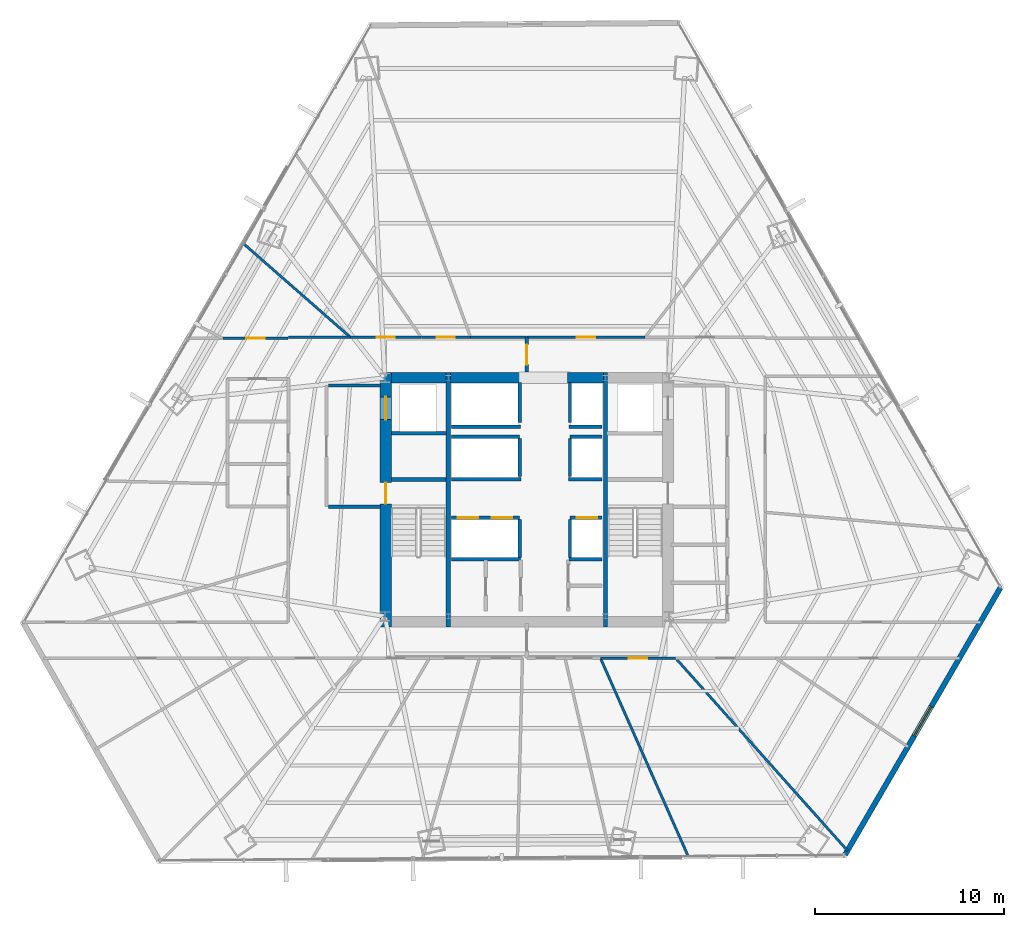
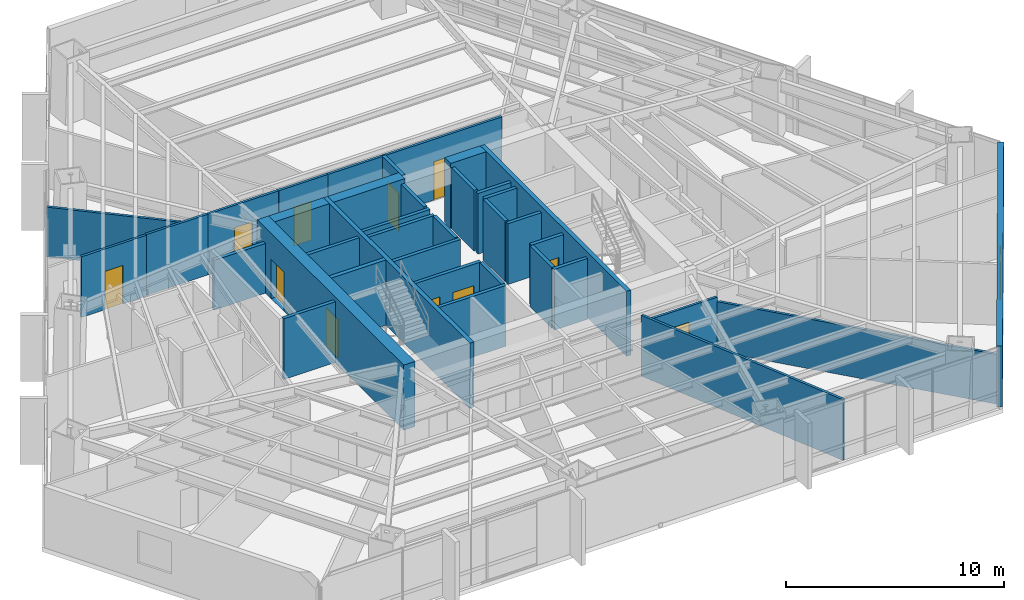
# One storey, part 31 of 36: 38 walls, 11 doors, 1 window, 12 openings.
"""IFC4 building model written with IfcOpenShell, lengths in metres."""

from ifc_helpers import new_model, si_unit, direction, frame, frame_2d, origin, place, context, subcontext, project, spatial, rectangle, extrude, material, layer, layer_set, type_object, element, fill, save


model = new_model("IFC4")

# Units and contexts
model_context = context("Model", 3, precision=1e-05, world=origin(), true_north=direction((0.0, 1.0)))
body_context = subcontext(model_context, "Body", "Model", "MODEL_VIEW")
ifc_project = project(units=[si_unit("LENGTHUNIT", "METRE"), si_unit("AREAUNIT", "SQUARE_METRE"), si_unit("VOLUMEUNIT", "CUBIC_METRE"), si_unit("PLANEANGLEUNIT", "RADIAN"), si_unit("MASSUNIT", "GRAM", prefix="KILO")], contexts=[model_context])

# Site, building, storey
site_placement = place(None, origin())
site = spatial("IfcSite", under=ifc_project, at=site_placement, CompositionType="ELEMENT")
building_placement = place(site_placement, origin())
building = spatial("IfcBuilding", under=site, at=building_placement, Name="Caelisora Broadcast Tower", CompositionType="ELEMENT")
storey_placement = place(building_placement, frame((0.0, 0.0, 64.10009765625)))
storey = spatial("IfcBuildingStorey", under=building, at=storey_placement, Name="L16", CompositionType="ELEMENT", Elevation=64.10009765625)

# Wall, openings, doors
ifc_material_1 = material(Name="Concrete 65 MPa (AS 3600 S65)", Category="concrete")
ifc_layer_1 = layer(ifc_material_1, 0.60009765625, Name="Concrete 65 MPa (AS 3600 S65)")
ifc_layer_set_1 = layer_set([ifc_layer_1], Name="Concrete 65 MPa (AS 3600 S65)")
wall_type_1 = type_object("IfcWallType", Name="CW1", PredefinedType="SHEAR", material=ifc_layer_set_1)
wall_1_placement = place(storey_placement, frame((30.5400390625, 16.85009765625, 0.0), z_axis=(0.0, 0.0, 1.0), x_axis=(0.0, 1.0, 0.0)))
wall_1 = element("IfcWall", 1, at=wall_1_placement, inside=storey, type_object=wall_type_1, Name="L16 core shear wall CW1", PredefinedType="SHEAR", context=body_context, shape_type="SweptSolid", body=[
    extrude(rectangle(XDim=13.4248046875, YDim=0.60009765625, at=frame_2d((6.71240234375, 0.0))), origin(), (0.0, 0.0, 1.0), 3.64990234375),
])
opening_1_placement = place(wall_1_placement, frame((6.5, 0.0, 0.0)))
opening_1 = element("IfcOpeningElement", 2, at=opening_1_placement, cuts=wall_1, Name="Opening FD04", PredefinedType="OPENING", context=body_context, shape_type="SweptSolid", body=[
    extrude(rectangle(XDim=1.1201171875, YDim=2.14990234375, at=frame_2d((0.56005859375, 1.074951171875))), frame((0.0, 0.31201171875, 0.0), z_axis=(0.0, -1.0, 0.0), x_axis=(1.0, 0.0, 0.0)), (0.0, 0.0, 1.0), 0.6240234375),
])
opening_2_placement = place(wall_1_placement, frame((10.949951171875, 0.0, 0.0)))
opening_2 = element("IfcOpeningElement", 3, at=opening_2_placement, cuts=wall_1, Name="Opening LD04", PredefinedType="OPENING", context=body_context, shape_type="SweptSolid", body=[
    extrude(rectangle(XDim=1.199951171875, YDim=2.199951171875, at=frame_2d((0.60009765625, 1.10009765625))), frame((0.0, 0.31201171875, 0.0), z_axis=(0.0, -1.0, 0.0), x_axis=(1.0, 0.0, 0.0)), (0.0, 0.0, 1.0), 0.6240234375),
])
ifc_material_2 = material(Name="Pressurised Fire-Isolated Stair Door", Category="steel")
door_type_1 = type_object("IfcDoorType", Name="FD04", OperationType="NOTDEFINED", PredefinedType="DOOR", material=ifc_material_2)
door_1_placement = place(opening_1_placement, origin())
door_1 = element("IfcDoor", 4, at=door_1_placement, inside=storey, type_object=door_type_1, Name="L16 door FD04 (L16-DR-ST1)", OperationType="SINGLE_SWING_LEFT", OverallHeight=2.14990234375, OverallWidth=1.1201171875, PredefinedType="DOOR", context=body_context, shape_type="SweptSolid", body=[
    extrude(rectangle(XDim=1.1201171875, YDim=2.14990234375, at=frame_2d((0.56005859375, 1.074951171875))), frame((0.0, 0.02490234375, 0.0), z_axis=(0.0, -1.0, 0.0), x_axis=(1.0, 0.0, 0.0)), (0.0, 0.0, 1.0), 0.050048828125),
])
fill(opening_1, door_1)
ifc_material_3 = material(Name="Emergency Firefighting Lift Sliding Landing Door", Category="steel")
door_type_2 = type_object("IfcDoorType", Name="LD04", OperationType="NOTDEFINED", PredefinedType="DOOR", material=ifc_material_3)
door_2_placement = place(opening_2_placement, origin())
door_2 = element("IfcDoor", 5, at=door_2_placement, inside=storey, type_object=door_type_2, Name="L16 door LD04 (L16-LD-FFL1)", OperationType="SLIDING_TO_LEFT", OverallHeight=2.199951171875, OverallWidth=1.199951171875, PredefinedType="DOOR", context=body_context, shape_type="SweptSolid", body=[
    extrude(rectangle(XDim=1.199951171875, YDim=2.199951171875, at=frame_2d((0.60009765625, 1.10009765625))), frame((0.0, 0.02490234375, 0.0), z_axis=(0.0, -1.0, 0.0), x_axis=(1.0, 0.0, 0.0)), (0.0, 0.0, 1.0), 0.050048828125),
])
fill(opening_2, door_2)

# Walls
ifc_layer_2 = layer(ifc_material_1, 0.550048828125, Name="Concrete 65 MPa (AS 3600 S65)")
ifc_layer_set_2 = layer_set([ifc_layer_2], Name="Concrete 65 MPa (AS 3600 S65)")
wall_type_2 = type_object("IfcWallType", Name="CW4", PredefinedType="SHEAR", material=ifc_layer_set_2)
wall_2_placement = place(storey_placement, frame((30.840087890625, 30.0, 0.0), z_axis=(0.0, 0.0, 1.0), x_axis=(1.0, 0.0, 0.0)))
element("IfcWall", 6, at=wall_2_placement, inside=storey, type_object=wall_type_2, Name="L16 core shear wall CW4", PredefinedType="SHEAR", context=body_context, shape_type="SweptSolid", body=[
    extrude(rectangle(XDim=2.89990234375, YDim=0.550048828125, at=frame_2d((1.449951171875, 0.0))), origin(), (0.0, 0.0, 1.0), 3.64990234375),
])
wall_3_placement = place(storey_placement, frame((33.9599609375, 30.0, 0.0), z_axis=(0.0, 0.0, 1.0), x_axis=(1.0, 0.0, 0.0)))
element("IfcWall", 7, at=wall_3_placement, inside=storey, type_object=wall_type_2, Name="L16 core shear wall CW4", PredefinedType="SHEAR", context=body_context, shape_type="SweptSolid", body=[
    extrude(rectangle(XDim=3.780029296875, YDim=0.550048828125, at=frame_2d((1.89013671875, 0.0))), origin(), (0.0, 0.0, 1.0), 3.64990234375),
])
wall_4_placement = place(storey_placement, frame((40.159912109375, 30.0, 0.0), z_axis=(0.0, 0.0, 1.0), x_axis=(1.0, 0.0, 0.0)))
element("IfcWall", 8, at=wall_4_placement, inside=storey, type_object=wall_type_2, Name="L16 core shear wall CW4", PredefinedType="SHEAR", context=body_context, shape_type="SweptSolid", body=[
    extrude(rectangle(XDim=1.880126953125, YDim=0.550048828125, at=frame_2d((0.93994140625, 0.0))), origin(), (0.0, 0.0, 1.0), 3.64990234375),
])
ifc_material_4 = material(Name="Concrete 50 MPa (AS 3600 S50)", Category="concrete")
ifc_layer_3 = layer(ifc_material_4, 0.219970703125, Name="Concrete 50 MPa (AS 3600 S50)")
ifc_layer_set_3 = layer_set([ifc_layer_3], Name="Concrete 50 MPa (AS 3600 S50)")
wall_type_3 = type_object("IfcWallType", Name="CW7", PredefinedType="SHEAR", material=ifc_layer_set_3)
for number, where, z_axis, x_axis, name in (
    (9, (33.85009765625, 16.85009765625, 0.0), (0.0, 0.0, 1.0), (0.0, 1.0, 0.0), "L16 core shear wall CW7"),
    (10, (42.14990234375, 16.85009765625, 0.0), (0.0, 0.0, 1.0), (0.0, 1.0, 0.0), "L16 core shear wall CW7"),
):
    element("IfcWall", number, at=place(storey_placement, frame(where, z_axis=z_axis, x_axis=x_axis)), inside=storey, type_object=wall_type_3, Name=name, PredefinedType="SHEAR", context=body_context, shape_type="SweptSolid", body=[
        extrude(rectangle(XDim=13.4248046875, YDim=0.219970703125, at=frame_2d((6.71240234375, 0.0))), origin(), (0.0, 0.0, 1.0), 3.64990234375),
    ])
wall_5_placement = place(storey_placement, frame((30.840087890625, 24.639892578125, 0.0), z_axis=(0.0, 0.0, 1.0), x_axis=(1.0, 0.0, 0.0)))
element("IfcWall", 11, at=wall_5_placement, inside=storey, type_object=wall_type_3, Name="L16 core shear wall CW7", PredefinedType="SHEAR", context=body_context, shape_type="SweptSolid", body=[
    extrude(rectangle(XDim=2.89990234375, YDim=0.219970703125, at=frame_2d((1.449951171875, 0.0))), origin(), (0.0, 0.0, 1.0), 3.64990234375),
])

# Wall, opening, window
ifc_material_5 = material(Name="Insulated Terracotta Spandrel Wall System", Category="masonry")
ifc_layer_4 = layer(ifc_material_5, 0.280029296875, Name="Insulated Terracotta Spandrel Wall System")
ifc_layer_set_4 = layer_set([ifc_layer_4], Name="Insulated Terracotta Spandrel Wall System")
wall_type_4 = type_object("IfcWallType", Name="EW1", PredefinedType="STANDARD", material=ifc_layer_set_4)
wall_6_placement = place(storey_placement, frame((63.02099609375, 18.916015625, 0.0), z_axis=(0.0, 0.0, 1.0), x_axis=(-0.502882396308, -0.864354843501, 0.0)))
wall_6 = element("IfcWall", 12, at=wall_6_placement, inside=storey, type_object=wall_type_4, Name="L16 exterior envelope wall EW1", PredefinedType="STANDARD", context=body_context, shape_type="SweptSolid", body=[
    extrude(rectangle(XDim=16.311767578125, YDim=0.280029296875, at=frame_2d((8.15576171875, 0.0))), origin(), (0.0, 0.0, 1.0), 3.39990234375),
])
opening_3_placement = place(wall_6_placement, frame((7.260009765625, 0.0, 0.89990234375)))
opening_3 = element("IfcOpeningElement", 13, at=opening_3_placement, cuts=wall_6, Name="Opening W01", PredefinedType="OPENING", context=body_context, shape_type="SweptSolid", body=[
    extrude(rectangle(XDim=1.800048828125, YDim=1.800048828125, at=frame_2d((0.89990234375, 0.89990234375))), frame((0.0, 0.152099609375, 0.0), z_axis=(0.0, -1.0, 0.0), x_axis=(1.0, 0.0, 0.0)), (0.0, 0.0, 1.0), 0.303955078125),
])
ifc_material_6 = material(Name="Double Glazed Terracotta-Framed Vision Window", Category="glass")
window_type = type_object("IfcWindowType", Name="W01", PartitioningType="SINGLE_PANEL", PredefinedType="WINDOW", material=ifc_material_6)
window_placement = place(opening_3_placement, origin())
window = element("IfcWindow", 14, at=window_placement, inside=storey, type_object=window_type, Name="L16 window W01 (L16-WN-CH0)", OverallHeight=1.800048828125, OverallWidth=1.800048828125, PartitioningType="SINGLE_PANEL", PredefinedType="WINDOW", context=body_context, shape_type="SweptSolid", body=[
    extrude(rectangle(XDim=1.800048828125, YDim=1.800048828125, at=frame_2d((0.89990234375, 0.89990234375))), frame((0.0, 0.030029296875, 0.0), z_axis=(0.0, -1.0, 0.0), x_axis=(1.0, 0.0, 0.0)), (0.0, 0.0, 1.0), 0.06005859375),
])
fill(opening_3, window)

# Wall, openings, doors
ifc_material_7 = material(Name="Fire-Rated Gypsum Shaft and Compartment Wall", Category="gypsum")
ifc_layer_5 = layer(ifc_material_7, 0.179931640625, Name="Fire-Rated Gypsum Shaft and Compartment Wall")
ifc_layer_set_5 = layer_set([ifc_layer_5], Name="Fire-Rated Gypsum Shaft and Compartment Wall")
wall_type_5 = type_object("IfcWallType", Name="PW2", PredefinedType="PARTITIONING", material=ifc_layer_set_5)
wall_7_placement = place(storey_placement, frame((34.02001953125, 22.6201171875, 0.0), z_axis=(0.0, 0.0, 1.0), x_axis=(1.0, 0.0, 0.0)))
wall_7 = element("IfcWall", 15, at=wall_7_placement, inside=storey, type_object=wall_type_5, Name="L16 fire compartment wall PW2", PredefinedType="PARTITIONING", context=body_context, shape_type="SweptSolid", body=[
    extrude(rectangle(XDim=3.60009765625, YDim=0.179931640625, at=frame_2d((1.800048828125, 0.0))), origin(), (0.0, 0.0, 1.0), 3.39990234375),
])
opening_4_placement = place(wall_7_placement, frame((0.320068359375, 0.0, 0.0)))
opening_4 = element("IfcOpeningElement", 16, at=opening_4_placement, cuts=wall_7, Name="Opening LD01", PredefinedType="OPENING", context=body_context, shape_type="SweptSolid", body=[
    extrude(rectangle(XDim=1.10009765625, YDim=2.199951171875, at=frame_2d((0.550048828125, 1.10009765625))), frame((0.0, 0.10205078125, 0.0), z_axis=(0.0, -1.0, 0.0), x_axis=(1.0, 0.0, 0.0)), (0.0, 0.0, 1.0), 0.203857421875),
])
opening_5_placement = place(wall_7_placement, frame((2.1201171875, 0.0, 0.0)))
opening_5 = element("IfcOpeningElement", 17, at=opening_5_placement, cuts=wall_7, Name="Opening LD01", PredefinedType="OPENING", context=body_context, shape_type="SweptSolid", body=[
    extrude(rectangle(XDim=1.10009765625, YDim=2.199951171875, at=frame_2d((0.550048828125, 1.10009765625))), frame((0.0, 0.10205078125, 0.0), z_axis=(0.0, -1.0, 0.0), x_axis=(1.0, 0.0, 0.0)), (0.0, 0.0, 1.0), 0.203857421875),
])
ifc_material_8 = material(Name="Stainless Steel Centre-Parting Lift Landing Door", Category="steel")
door_type_3 = type_object("IfcDoorType", Name="LD01", OperationType="NOTDEFINED", PredefinedType="DOOR", material=ifc_material_8)
door_3_placement = place(opening_4_placement, origin())
door_3 = element("IfcDoor", 18, at=door_3_placement, inside=storey, type_object=door_type_3, Name="L16 door LD01 (L16-LD-PLL1)", OperationType="SLIDING_TO_LEFT", OverallHeight=2.199951171875, OverallWidth=1.10009765625, PredefinedType="DOOR", context=body_context, shape_type="SweptSolid", body=[
    extrude(rectangle(XDim=1.10009765625, YDim=2.199951171875, at=frame_2d((0.550048828125, 1.10009765625))), frame((0.0, 0.02490234375, 0.0), z_axis=(0.0, -1.0, 0.0), x_axis=(1.0, 0.0, 0.0)), (0.0, 0.0, 1.0), 0.050048828125),
])
fill(opening_4, door_3)
door_4_placement = place(opening_5_placement, origin())
door_4 = element("IfcDoor", 19, at=door_4_placement, inside=storey, type_object=door_type_3, Name="L16 door LD01 (L16-LD-PLL2)", OperationType="SLIDING_TO_RIGHT", OverallHeight=2.199951171875, OverallWidth=1.10009765625, PredefinedType="DOOR", context=body_context, shape_type="SweptSolid", body=[
    extrude(rectangle(XDim=1.10009765625, YDim=2.199951171875, at=frame_2d((0.550048828125, 1.10009765625))), frame((0.0, 0.02490234375, 0.0), z_axis=(0.0, -1.0, 0.0), x_axis=(1.0, 0.0, 0.0)), (0.0, 0.0, 1.0), 0.050048828125),
])
fill(opening_5, door_4)

# Wall, opening, door
wall_8_placement = place(storey_placement, frame((40.280029296875, 22.6201171875, 0.0), z_axis=(0.0, 0.0, 1.0), x_axis=(1.0, 0.0, 0.0)))
wall_8 = element("IfcWall", 20, at=wall_8_placement, inside=storey, type_object=wall_type_5, Name="L16 fire compartment wall PW2", PredefinedType="PARTITIONING", context=body_context, shape_type="SweptSolid", body=[
    extrude(rectangle(XDim=1.699951171875, YDim=0.179931640625, at=frame_2d((0.85009765625, 0.0))), origin(), (0.0, 0.0, 1.0), 3.39990234375),
])
opening_6_placement = place(wall_8_placement, frame((0.35009765625, 0.0, 0.0)))
opening_6 = element("IfcOpeningElement", 21, at=opening_6_placement, cuts=wall_8, Name="Opening LD01", PredefinedType="OPENING", context=body_context, shape_type="SweptSolid", body=[
    extrude(rectangle(XDim=1.10009765625, YDim=2.199951171875, at=frame_2d((0.550048828125, 1.10009765625))), frame((0.0, 0.10205078125, 0.0), z_axis=(0.0, -1.0, 0.0), x_axis=(1.0, 0.0, 0.0)), (0.0, 0.0, 1.0), 0.203857421875),
])
door_5_placement = place(opening_6_placement, origin())
door_5 = element("IfcDoor", 22, at=door_5_placement, inside=storey, type_object=door_type_3, Name="L16 door LD01 (L16-LD-PLL3)", OperationType="SLIDING_TO_LEFT", OverallHeight=2.199951171875, OverallWidth=1.10009765625, PredefinedType="DOOR", context=body_context, shape_type="SweptSolid", body=[
    extrude(rectangle(XDim=1.10009765625, YDim=2.199951171875, at=frame_2d((0.550048828125, 1.10009765625))), frame((0.0, 0.02490234375, 0.0), z_axis=(0.0, -1.0, 0.0), x_axis=(1.0, 0.0, 0.0)), (0.0, 0.0, 1.0), 0.050048828125),
])
fill(opening_6, door_5)

# Walls
for number, where, z_axis, x_axis, name in (
    (23, (37.6201171875, 20.52001953125, 0.0), (0.0, 0.0, 1.0), (0.0, 1.0, 0.0), "L16 fire compartment wall PW2"),
    (24, (40.280029296875, 20.52001953125, 0.0), (0.0, 0.0, 1.0), (0.0, 1.0, 0.0), "L16 fire compartment wall PW2"),
):
    element("IfcWall", number, at=place(storey_placement, frame(where, z_axis=z_axis, x_axis=x_axis)), inside=storey, type_object=wall_type_5, Name=name, PredefinedType="PARTITIONING", context=body_context, shape_type="SweptSolid", body=[
        extrude(rectangle(XDim=2.0, YDim=0.179931640625, at=frame_2d((1.0, 0.0))), origin(), (0.0, 0.0, 1.0), 3.39990234375),
    ])
wall_9_placement = place(storey_placement, frame((34.02001953125, 26.89990234375, 0.0), z_axis=(0.0, 0.0, 1.0), x_axis=(1.0, 0.0, 0.0)))
element("IfcWall", 25, at=wall_9_placement, inside=storey, type_object=wall_type_5, Name="L16 fire compartment wall PW2", PredefinedType="PARTITIONING", context=body_context, shape_type="SweptSolid", body=[
    extrude(rectangle(XDim=3.60009765625, YDim=0.179931640625, at=frame_2d((1.800048828125, 0.0))), origin(), (0.0, 0.0, 1.0), 3.39990234375),
])
wall_10_placement = place(storey_placement, frame((40.280029296875, 26.89990234375, 0.0), z_axis=(0.0, 0.0, 1.0), x_axis=(1.0, 0.0, 0.0)))
element("IfcWall", 26, at=wall_10_placement, inside=storey, type_object=wall_type_5, Name="L16 fire compartment wall PW2", PredefinedType="PARTITIONING", context=body_context, shape_type="SweptSolid", body=[
    extrude(rectangle(XDim=1.699951171875, YDim=0.179931640625, at=frame_2d((0.85009765625, 0.0))), origin(), (0.0, 0.0, 1.0), 3.39990234375),
])
for number, where, z_axis, x_axis, name in (
    (27, (37.6201171875, 24.800048828125, 0.0), (0.0, 0.0, 1.0), (0.0, 1.0, 0.0), "L16 fire compartment wall PW2"),
    (28, (40.280029296875, 24.800048828125, 0.0), (0.0, 0.0, 1.0), (0.0, 1.0, 0.0), "L16 fire compartment wall PW2"),
):
    element("IfcWall", number, at=place(storey_placement, frame(where, z_axis=z_axis, x_axis=x_axis)), inside=storey, type_object=wall_type_5, Name=name, PredefinedType="PARTITIONING", context=body_context, shape_type="SweptSolid", body=[
        extrude(rectangle(XDim=2.0, YDim=0.179931640625, at=frame_2d((1.0, 0.0))), origin(), (0.0, 0.0, 1.0), 3.39990234375),
    ])
wall_11_placement = place(storey_placement, frame((34.02001953125, 24.639892578125, 0.0), z_axis=(0.0, 0.0, 1.0), x_axis=(1.0, 0.0, 0.0)))
element("IfcWall", 29, at=wall_11_placement, inside=storey, type_object=wall_type_5, Name="L16 fire compartment wall PW2", PredefinedType="PARTITIONING", context=body_context, shape_type="SweptSolid", body=[
    extrude(rectangle(XDim=3.679931640625, YDim=0.179931640625, at=frame_2d((1.83984375, 0.0))), origin(), (0.0, 0.0, 1.0), 3.39990234375),
])
wall_12_placement = place(storey_placement, frame((40.199951171875, 24.639892578125, 0.0), z_axis=(0.0, 0.0, 1.0), x_axis=(1.0, 0.0, 0.0)))
element("IfcWall", 30, at=wall_12_placement, inside=storey, type_object=wall_type_5, Name="L16 fire compartment wall PW2", PredefinedType="PARTITIONING", context=body_context, shape_type="SweptSolid", body=[
    extrude(rectangle(XDim=1.780029296875, YDim=0.179931640625, at=frame_2d((0.89013671875, 0.0))), origin(), (0.0, 0.0, 1.0), 3.39990234375),
])
wall_13_placement = place(storey_placement, frame((34.02001953125, 27.419921875, 0.0), z_axis=(0.0, 0.0, 1.0), x_axis=(1.0, 0.0, 0.0)))
element("IfcWall", 31, at=wall_13_placement, inside=storey, type_object=wall_type_5, Name="L16 fire compartment wall PW2", PredefinedType="PARTITIONING", context=body_context, shape_type="SweptSolid", body=[
    extrude(rectangle(XDim=3.659912109375, YDim=0.179931640625, at=frame_2d((1.830078125, 0.0))), origin(), (0.0, 0.0, 1.0), 3.39990234375),
])
wall_14_placement = place(storey_placement, frame((40.219970703125, 27.419921875, 0.0), z_axis=(0.0, 0.0, 1.0), x_axis=(1.0, 0.0, 0.0)))
element("IfcWall", 32, at=wall_14_placement, inside=storey, type_object=wall_type_5, Name="L16 fire compartment wall PW2", PredefinedType="PARTITIONING", context=body_context, shape_type="SweptSolid", body=[
    extrude(rectangle(XDim=1.760009765625, YDim=0.179931640625, at=frame_2d((0.8798828125, 0.0))), origin(), (0.0, 0.0, 1.0), 3.39990234375),
])
for number, where, z_axis, x_axis, name in (
    (33, (37.6201171875, 27.639892578125, 0.0), (0.0, 0.0, 1.0), (0.0, 1.0, 0.0), "L16 fire compartment wall PW2"),
    (34, (40.280029296875, 27.639892578125, 0.0), (0.0, 0.0, 1.0), (0.0, 1.0, 0.0), "L16 fire compartment wall PW2"),
):
    element("IfcWall", number, at=place(storey_placement, frame(where, z_axis=z_axis, x_axis=x_axis)), inside=storey, type_object=wall_type_5, Name=name, PredefinedType="PARTITIONING", context=body_context, shape_type="SweptSolid", body=[
        extrude(rectangle(XDim=2.110107421875, YDim=0.179931640625, at=frame_2d((1.05517578125, 0.0))), origin(), (0.0, 0.0, 1.0), 3.39990234375),
    ])
wall_15_placement = place(storey_placement, frame((27.52001953125, 23.199951171875, 0.0), z_axis=(0.0, 0.0, 1.0), x_axis=(1.0, 0.0, 0.0)))
element("IfcWall", 35, at=wall_15_placement, inside=storey, type_object=wall_type_5, Name="L16 fire compartment wall PW2", PredefinedType="PARTITIONING", context=body_context, shape_type="SweptSolid", body=[
    extrude(rectangle(XDim=2.760009765625, YDim=0.179931640625, at=frame_2d((1.3798828125, 0.0))), origin(), (0.0, 0.0, 1.0), 3.39990234375),
])
wall_16_placement = place(storey_placement, frame((27.52001953125, 29.60009765625, 0.0), z_axis=(0.0, 0.0, 1.0), x_axis=(1.0, 0.0, 0.0)))
element("IfcWall", 36, at=wall_16_placement, inside=storey, type_object=wall_type_5, Name="L16 fire compartment wall PW2", PredefinedType="PARTITIONING", context=body_context, shape_type="SweptSolid", body=[
    extrude(rectangle(XDim=2.760009765625, YDim=0.179931640625, at=frame_2d((1.3798828125, 0.0))), origin(), (0.0, 0.0, 1.0), 2.78271484375),
])
wall_17_placement = place(storey_placement, frame((30.860107421875, 27.070068359375, 0.0), z_axis=(0.0, 0.0, 1.0), x_axis=(1.0, 0.0, 0.0)))
element("IfcWall", 37, at=wall_17_placement, inside=storey, type_object=wall_type_5, Name="L16 fire compartment wall PW2", PredefinedType="PARTITIONING", context=body_context, shape_type="SweptSolid", body=[
    extrude(rectangle(XDim=2.89990234375, YDim=0.179931640625, at=frame_2d((1.449951171875, 0.0))), origin(), (0.0, 0.0, 1.0), 3.39990234375),
])
wall_18_placement = place(storey_placement, frame((34.02001953125, 20.419921875, 0.0), z_axis=(0.0, 0.0, 1.0), x_axis=(1.0, 0.0, 0.0)))
element("IfcWall", 38, at=wall_18_placement, inside=storey, type_object=wall_type_5, Name="L16 fire compartment wall PW2", PredefinedType="PARTITIONING", context=body_context, shape_type="SweptSolid", body=[
    extrude(rectangle(XDim=3.639892578125, YDim=0.179931640625, at=frame_2d((1.81982421875, 0.0))), origin(), (0.0, 0.0, 1.0), 3.39990234375),
])
wall_19_placement = place(storey_placement, frame((40.219970703125, 20.419921875, 0.0), z_axis=(0.0, 0.0, 1.0), x_axis=(1.0, 0.0, 0.0)))
element("IfcWall", 39, at=wall_19_placement, inside=storey, type_object=wall_type_5, Name="L16 fire compartment wall PW2", PredefinedType="PARTITIONING", context=body_context, shape_type="SweptSolid", body=[
    extrude(rectangle(XDim=1.760009765625, YDim=0.179931640625, at=frame_2d((0.8798828125, 0.0))), origin(), (0.0, 0.0, 1.0), 3.39990234375),
])

# Wall, opening, door
wall_20_placement = place(storey_placement, frame((38.0, 30.320068359375, 0.0), z_axis=(0.0, 0.0, 1.0), x_axis=(0.0, 1.0, 0.0)))
wall_20 = element("IfcWall", 40, at=wall_20_placement, inside=storey, type_object=wall_type_5, Name="L16 fire compartment wall PW2", PredefinedType="PARTITIONING", context=body_context, shape_type="SweptSolid", body=[
    extrude(rectangle(XDim=1.824951171875, YDim=0.179931640625, at=frame_2d((0.91259765625, 0.0))), origin(), (0.0, 0.0, 1.0), 3.39990234375),
])
opening_7_placement = place(wall_20_placement, frame((0.387939453125, 0.0, 0.0)))
opening_7 = element("IfcOpeningElement", 41, at=opening_7_placement, cuts=wall_20, Name="Opening FD02", PredefinedType="OPENING", context=body_context, shape_type="SweptSolid", body=[
    extrude(rectangle(XDim=1.050048828125, YDim=2.14990234375, at=frame_2d((0.52490234375, 1.074951171875))), frame((0.0, 0.10205078125, 0.0), z_axis=(0.0, -1.0, 0.0), x_axis=(1.0, 0.0, 0.0)), (0.0, 0.0, 1.0), 0.203857421875),
])
ifc_material_9 = material(Name="Single-Leaf Steel Fire Lobby Door", Category="steel")
door_type_4 = type_object("IfcDoorType", Name="FD02", OperationType="NOTDEFINED", PredefinedType="DOOR", material=ifc_material_9)
door_6_placement = place(opening_7_placement, origin())
door_6 = element("IfcDoor", 42, at=door_6_placement, inside=storey, type_object=door_type_4, Name="L16 door FD02 (L16-DR-P75D1)", OperationType="SINGLE_SWING_RIGHT", OverallHeight=2.14990234375, OverallWidth=1.050048828125, PredefinedType="DOOR", context=body_context, shape_type="SweptSolid", body=[
    extrude(rectangle(XDim=1.050048828125, YDim=2.14990234375, at=frame_2d((0.52490234375, 1.074951171875))), frame((0.0, 0.02490234375, 0.0), z_axis=(0.0, -1.0, 0.0), x_axis=(1.0, 0.0, 0.0)), (0.0, 0.0, 1.0), 0.050048828125),
])
fill(opening_7, door_6)

# Walls
ifc_material_10 = material(Name="Acoustic Steel-Stud Plasterboard Partition", Category="gypsum")
ifc_layer_6 = layer(ifc_material_10, 0.1298828125, Name="Acoustic Steel-Stud Plasterboard Partition")
ifc_layer_set_6 = layer_set([ifc_layer_6], Name="Acoustic Steel-Stud Plasterboard Partition")
wall_type_6 = type_object("IfcWallType", Name="PW3", PredefinedType="PARTITIONING", material=ifc_layer_set_6)
wall_21_placement = place(storey_placement, frame((45.863037109375, 15.196044921875, 0.0), z_axis=(0.0, 0.0, 1.0), x_axis=(0.665968092219, -0.745980227718, 0.0)))
element("IfcWall", 43, at=wall_21_placement, inside=storey, type_object=wall_type_6, Name="L16 internal partition PW3", PredefinedType="PARTITIONING", context=body_context, shape_type="SweptSolid", body=[
    extrude(rectangle(XDim=13.63623046875, YDim=0.1298828125, at=frame_2d((6.818115234375, 0.0))), origin(), (0.0, 0.0, 1.0), 2.78271484375),
])
wall_22_placement = place(storey_placement, frame((41.89208984375, 15.195068359375, 0.0), z_axis=(0.0, 0.0, 1.0), x_axis=(0.404866595437, -0.914375765153, 0.0)))
element("IfcWall", 44, at=wall_22_placement, inside=storey, type_object=wall_type_6, Name="L16 internal partition PW3", PredefinedType="PARTITIONING", context=body_context, shape_type="SweptSolid", body=[
    extrude(rectangle(XDim=11.45556640625, YDim=0.1298828125, at=frame_2d((5.727783203125, 0.0))), origin(), (0.0, 0.0, 1.0), 3.39990234375),
])
wall_23_placement = place(storey_placement, frame((23.04541015625, 37.083984375, 0.0), z_axis=(0.0, 0.0, 1.0), x_axis=(0.752303838626, -0.658816313087, 0.0)))
element("IfcWall", 45, at=wall_23_placement, inside=storey, type_object=wall_type_6, Name="L16 internal partition PW3", PredefinedType="PARTITIONING", context=body_context, shape_type="SweptSolid", body=[
    extrude(rectangle(XDim=7.484375, YDim=0.1298828125, at=frame_2d((3.7421875, 0.0))), origin(), (0.0, 0.0, 1.0), 2.78271484375),
])

# Wall, opening, door
wall_24_placement = place(storey_placement, frame((38.0048828125, 32.14990234375, 0.0), z_axis=(0.0, 0.0, 1.0), x_axis=(1.0, 0.0, 0.0)))
wall_24 = element("IfcWall", 46, at=wall_24_placement, inside=storey, type_object=wall_type_6, Name="L16 internal partition PW3", PredefinedType="PARTITIONING", context=body_context, shape_type="SweptSolid", body=[
    extrude(rectangle(XDim=6.240234375, YDim=0.1298828125, at=frame_2d((3.1201171875, 0.0))), origin(), (0.0, 0.0, 1.0), 3.39990234375),
])
opening_8_placement = place(wall_24_placement, frame((2.639892578125, 0.0, 0.0)))
opening_8 = element("IfcOpeningElement", 47, at=opening_8_placement, cuts=wall_24, Name="Opening D01", PredefinedType="OPENING", context=body_context, shape_type="SweptSolid", body=[
    extrude(rectangle(XDim=0.9599609375, YDim=2.14990234375, at=frame_2d((0.47998046875, 1.074951171875))), frame((0.0, 0.076904296875, 0.0), z_axis=(0.0, -1.0, 0.0), x_axis=(1.0, 0.0, 0.0)), (0.0, 0.0, 1.0), 0.15380859375),
])
ifc_material_11 = material(Name="Solid-Core Timber Acoustic Office Door", Category="wood")
door_type_5 = type_object("IfcDoorType", Name="D01", OperationType="NOTDEFINED", PredefinedType="DOOR", material=ifc_material_11)
door_7_placement = place(opening_8_placement, origin())
door_7 = element("IfcDoor", 48, at=door_7_placement, inside=storey, type_object=door_type_5, Name="L16 door D01 (L16-DR-P53D1)", OperationType="SINGLE_SWING_RIGHT", OverallHeight=2.14990234375, OverallWidth=0.9599609375, PredefinedType="DOOR", context=body_context, shape_type="SweptSolid", body=[
    extrude(rectangle(XDim=0.9599609375, YDim=2.14990234375, at=frame_2d((0.47998046875, 1.074951171875))), frame((0.0, 0.02490234375, 0.0), z_axis=(0.0, -1.0, 0.0), x_axis=(1.0, 0.0, 0.0)), (0.0, 0.0, 1.0), 0.050048828125),
])
fill(opening_8, door_7)

wall_25_placement = place(storey_placement, frame((41.89501953125, 15.199951171875, 0.0), z_axis=(0.0, 0.0, 1.0), x_axis=(1.0, 0.0, 0.0)))
wall_25 = element("IfcWall", 49, at=wall_25_placement, inside=storey, type_object=wall_type_6, Name="L16 internal partition PW3", PredefinedType="PARTITIONING", context=body_context, shape_type="SweptSolid", body=[
    extrude(rectangle(XDim=3.9599609375, YDim=0.1298828125, at=frame_2d((1.97998046875, 0.0))), origin(), (0.0, 0.0, 1.0), 3.0263671875),
])
opening_9_placement = place(wall_25_placement, frame((1.5, 0.0, 0.0)))
opening_9 = element("IfcOpeningElement", 50, at=opening_9_placement, cuts=wall_25, Name="Opening D01", PredefinedType="OPENING", context=body_context, shape_type="SweptSolid", body=[
    extrude(rectangle(XDim=0.9599609375, YDim=2.14990234375, at=frame_2d((0.47998046875, 1.074951171875))), frame((0.0, 0.076904296875, 0.0), z_axis=(0.0, -1.0, 0.0), x_axis=(1.0, 0.0, 0.0)), (0.0, 0.0, 1.0), 0.15380859375),
])
door_8_placement = place(opening_9_placement, origin())
door_8 = element("IfcDoor", 51, at=door_8_placement, inside=storey, type_object=door_type_5, Name="L16 door D01 (L16-DR-P59D1)", OperationType="SINGLE_SWING_LEFT", OverallHeight=2.14990234375, OverallWidth=0.9599609375, PredefinedType="DOOR", context=body_context, shape_type="SweptSolid", body=[
    extrude(rectangle(XDim=0.9599609375, YDim=2.14990234375, at=frame_2d((0.47998046875, 1.074951171875))), frame((0.0, 0.02490234375, 0.0), z_axis=(0.0, -1.0, 0.0), x_axis=(1.0, 0.0, 0.0)), (0.0, 0.0, 1.0), 0.050048828125),
])
fill(opening_9, door_8)

wall_26_placement = place(storey_placement, frame((28.68505859375, 32.14990234375, 0.0), z_axis=(0.0, 0.0, 1.0), x_axis=(1.0, 0.0, 0.0)))
wall_26 = element("IfcWall", 52, at=wall_26_placement, inside=storey, type_object=wall_type_6, Name="L16 internal partition PW3", PredefinedType="PARTITIONING", context=body_context, shape_type="SweptSolid", body=[
    extrude(rectangle(XDim=3.72998046875, YDim=0.1298828125, at=frame_2d((1.864990234375, 0.0))), origin(), (0.0, 0.0, 1.0), 3.39990234375),
])
opening_10_placement = place(wall_26_placement, frame((1.385009765625, 0.0, 0.0)))
opening_10 = element("IfcOpeningElement", 53, at=opening_10_placement, cuts=wall_26, Name="Opening D01", PredefinedType="OPENING", context=body_context, shape_type="SweptSolid", body=[
    extrude(rectangle(XDim=0.9599609375, YDim=2.14990234375, at=frame_2d((0.47998046875, 1.074951171875))), frame((0.0, 0.076904296875, 0.0), z_axis=(0.0, -1.0, 0.0), x_axis=(1.0, 0.0, 0.0)), (0.0, 0.0, 1.0), 0.15380859375),
])
door_9_placement = place(opening_10_placement, origin())
door_9 = element("IfcDoor", 54, at=door_9_placement, inside=storey, type_object=door_type_5, Name="L16 door D01 (L16-DR-P60D1)", OperationType="SINGLE_SWING_RIGHT", OverallHeight=2.14990234375, OverallWidth=0.9599609375, PredefinedType="DOOR", context=body_context, shape_type="SweptSolid", body=[
    extrude(rectangle(XDim=0.9599609375, YDim=2.14990234375, at=frame_2d((0.47998046875, 1.074951171875))), frame((0.0, 0.02490234375, 0.0), z_axis=(0.0, -1.0, 0.0), x_axis=(1.0, 0.0, 0.0)), (0.0, 0.0, 1.0), 0.050048828125),
])
fill(opening_10, door_9)

wall_27_placement = place(storey_placement, frame((21.945068359375, 32.10009765625, 0.0), z_axis=(0.0, 0.0, 1.0), x_axis=(1.0, 0.0, 0.0)))
wall_27 = element("IfcWall", 55, at=wall_27_placement, inside=storey, type_object=wall_type_6, Name="L16 internal partition PW3", PredefinedType="PARTITIONING", context=body_context, shape_type="SweptSolid", body=[
    extrude(rectangle(XDim=3.449951171875, YDim=0.1298828125, at=frame_2d((1.72509765625, 0.0))), origin(), (0.0, 0.0, 1.0), 3.39990234375),
])
opening_11_placement = place(wall_27_placement, frame((1.2451171875, 0.0, 0.0)))
opening_11 = element("IfcOpeningElement", 56, at=opening_11_placement, cuts=wall_27, Name="Opening D01", PredefinedType="OPENING", context=body_context, shape_type="SweptSolid", body=[
    extrude(rectangle(XDim=0.9599609375, YDim=2.14990234375, at=frame_2d((0.47998046875, 1.074951171875))), frame((0.0, 0.076904296875, 0.0), z_axis=(0.0, -1.0, 0.0), x_axis=(1.0, 0.0, 0.0)), (0.0, 0.0, 1.0), 0.15380859375),
])
door_10_placement = place(opening_11_placement, origin())
door_10 = element("IfcDoor", 57, at=door_10_placement, inside=storey, type_object=door_type_5, Name="L16 door D01 (L16-DR-P62D1)", OperationType="SINGLE_SWING_RIGHT", OverallHeight=2.14990234375, OverallWidth=0.9599609375, PredefinedType="DOOR", context=body_context, shape_type="SweptSolid", body=[
    extrude(rectangle(XDim=0.9599609375, YDim=2.14990234375, at=frame_2d((0.47998046875, 1.074951171875))), frame((0.0, 0.02490234375, 0.0), z_axis=(0.0, -1.0, 0.0), x_axis=(1.0, 0.0, 0.0)), (0.0, 0.0, 1.0), 0.050048828125),
])
fill(opening_11, door_10)

# Walls
wall_28_placement = place(storey_placement, frame((25.405029296875, 32.14990234375, 0.0), z_axis=(0.0, 0.0, 1.0), x_axis=(1.0, 0.0, 0.0)))
element("IfcWall", 58, at=wall_28_placement, inside=storey, type_object=wall_type_6, Name="L16 internal partition PW3", PredefinedType="PARTITIONING", context=body_context, shape_type="SweptSolid", body=[
    extrude(rectangle(XDim=3.27001953125, YDim=0.1298828125, at=frame_2d((1.635009765625, 0.0))), origin(), (0.0, 0.0, 1.0), 3.39990234375),
])
wall_29_placement = place(storey_placement, frame((35.034912109375, 32.14990234375, 0.0), z_axis=(0.0, 0.0, 1.0), x_axis=(1.0, 0.0, 0.0)))
element("IfcWall", 59, at=wall_29_placement, inside=storey, type_object=wall_type_6, Name="L16 internal partition PW3", PredefinedType="PARTITIONING", context=body_context, shape_type="SweptSolid", body=[
    extrude(rectangle(XDim=2.960205078125, YDim=0.1298828125, at=frame_2d((1.47998046875, 0.0))), origin(), (0.0, 0.0, 1.0), 3.39990234375),
])

# Wall, opening, door
wall_30_placement = place(storey_placement, frame((32.425048828125, 32.14990234375, 0.0), z_axis=(0.0, 0.0, 1.0), x_axis=(1.0, 0.0, 0.0)))
wall_30 = element("IfcWall", 60, at=wall_30_placement, inside=storey, type_object=wall_type_6, Name="L16 internal partition PW3", PredefinedType="PARTITIONING", context=body_context, shape_type="SweptSolid", body=[
    extrude(rectangle(XDim=2.599853515625, YDim=0.1298828125, at=frame_2d((1.2998046875, 0.0))), origin(), (0.0, 0.0, 1.0), 3.39990234375),
])
opening_12_placement = place(wall_30_placement, frame((0.820068359375, 0.0, 0.0)))
opening_12 = element("IfcOpeningElement", 61, at=opening_12_placement, cuts=wall_30, Name="Opening D01", PredefinedType="OPENING", context=body_context, shape_type="SweptSolid", body=[
    extrude(rectangle(XDim=0.9599609375, YDim=2.14990234375, at=frame_2d((0.47998046875, 1.074951171875))), frame((0.0, 0.076904296875, 0.0), z_axis=(0.0, -1.0, 0.0), x_axis=(1.0, 0.0, 0.0)), (0.0, 0.0, 1.0), 0.15380859375),
])
door_11_placement = place(opening_12_placement, origin())
door_11 = element("IfcDoor", 62, at=door_11_placement, inside=storey, type_object=door_type_5, Name="L16 door D01 (L16-DR-P69D1)", OperationType="SINGLE_SWING_LEFT", OverallHeight=2.14990234375, OverallWidth=0.9599609375, PredefinedType="DOOR", context=body_context, shape_type="SweptSolid", body=[
    extrude(rectangle(XDim=0.9599609375, YDim=2.14990234375, at=frame_2d((0.47998046875, 1.074951171875))), frame((0.0, 0.02490234375, 0.0), z_axis=(0.0, -1.0, 0.0), x_axis=(1.0, 0.0, 0.0)), (0.0, 0.0, 1.0), 0.050048828125),
])
fill(opening_12, door_11)

save(model, "model.ifc")
